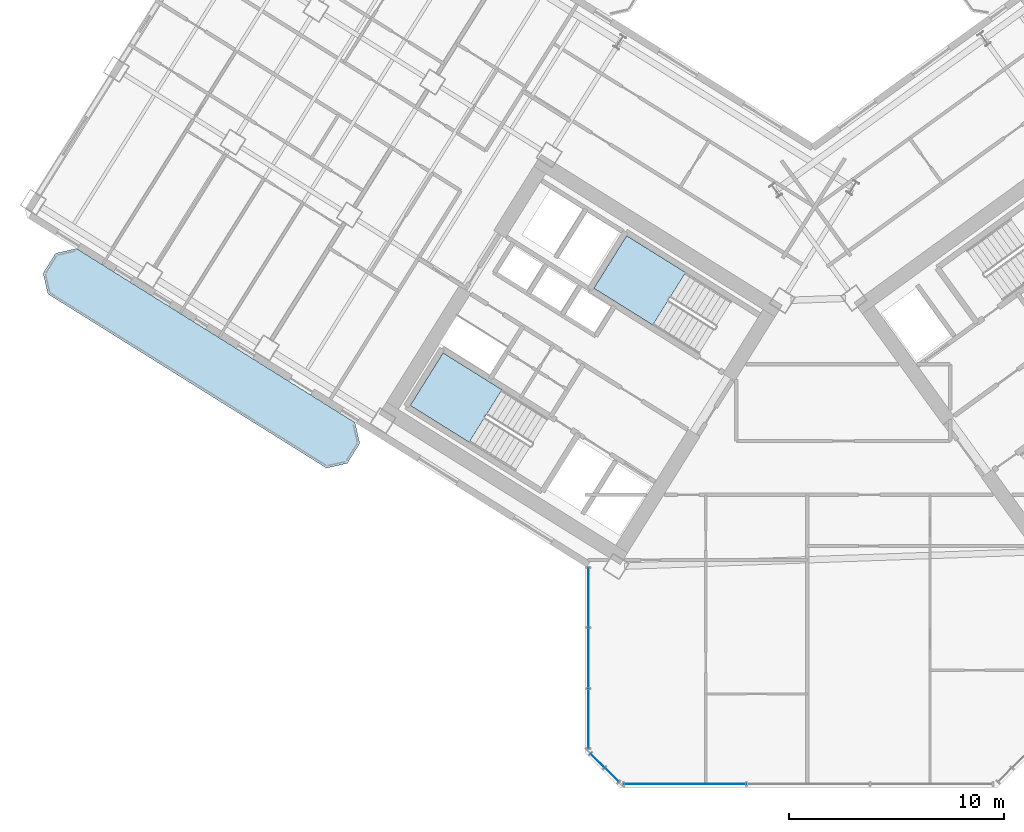
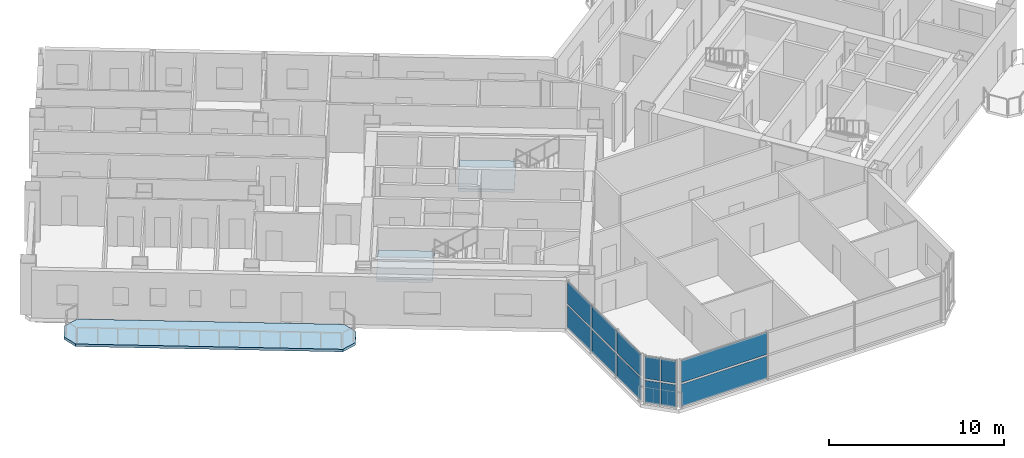
# One storey, part 8 of 21: 12 plates, 3 slabs, 5 elements without a shape of their own.
"""IFC4 building model written with IfcOpenShell, lengths in metres."""

import ifcopenshell
import ifcopenshell.guid

model = None  # the IFC model being written
_history = None  # IfcOwnerHistory: only IFC2X3 demands one
_inside = {}  # id of a spatial element -> (the spatial element, [elements in it])
_under = {}  # id of a project, library or spatial element -> (it, [spatial elements below it])
_declared = {}  # id of a project -> (the project, [libraries it declares])
_typed = {}  # id of a type object -> (the type object, [elements of that type])
_made_of = {}  # id of a material, layer set ... -> (it, [elements and type objects made of it])


def new_model(schema):
    """Start an empty IFC model of exactly this schema.

    Asked for "IFC4X3", IfcOpenShell would pick the latest addendum, in which some entities
    have other attributes; the version numbers below select the first issue.
    IFC2X3 requires an IfcOwnerHistory on every rooted entity: one is made here for all.
    """
    global model, _history
    if schema == "IFC4X3":
        model = ifcopenshell.file(schema_version=(4, 3, 0, 0))
    else:
        model = ifcopenshell.file(schema=schema)
    _inside.clear()
    _under.clear()
    _declared.clear()
    _typed.clear()
    _made_of.clear()
    _history = None
    if model.schema == "IFC2X3":
        org = make("IfcOrganization", Name="unknown")
        user = make(
            "IfcPersonAndOrganization",
            ThePerson=make("IfcPerson", FamilyName="unknown"),
            TheOrganization=org,
        )
        app = make(
            "IfcApplication",
            ApplicationDeveloper=org,
            Version="unknown",
            ApplicationFullName="unknown",
            ApplicationIdentifier="unknown",
        )
        _history = make(
            "IfcOwnerHistory",
            OwningUser=user,
            OwningApplication=app,
            ChangeAction="ADDED",
            CreationDate=0,
        )
    return model


def make(cls, **values):
    """One entity of the class cls with the attributes given. An attribute that is None is left unset."""
    return model.create_entity(
        cls, **{name: value for name, value in values.items() if value is not None}
    )


def rooted(cls, **values):
    """An entity with a GlobalId (a new one), such as an element, a storey or a relation."""
    return make(cls, GlobalId=ifcopenshell.guid.new(), OwnerHistory=_history, **values)


def si_unit(unit_type, name, prefix=None):
    """IfcSIUnit, for example si_unit("LENGTHUNIT", "METRE", prefix="MILLI")."""
    return make("IfcSIUnit", UnitType=unit_type, Prefix=prefix, Name=name)


def assignment(units):
    """IfcUnitAssignment: the units of a project."""
    return None if units is None else make("IfcUnitAssignment", Units=units)


def point(xyz):
    """IfcCartesianPoint."""
    return None if xyz is None else make("IfcCartesianPoint", Coordinates=xyz)


def direction(xyz):
    """IfcDirection."""
    return None if xyz is None else make("IfcDirection", DirectionRatios=xyz)


def frame(location, z_axis=None, x_axis=None):
    """IfcAxis2Placement3D, a coordinate frame: its origin and axes. An axis left out is left unset."""
    return make(
        "IfcAxis2Placement3D",
        Location=point(location),
        Axis=direction(z_axis),
        RefDirection=direction(x_axis),
    )


def frame_2d(location, x_axis=None):
    """IfcAxis2Placement2D, a coordinate frame in the plane: its origin and x axis."""
    return make(
        "IfcAxis2Placement2D", Location=point(location), RefDirection=direction(x_axis)
    )


def origin():
    """The frame at (0, 0, 0) with its axes left unset."""
    return frame((0.0, 0.0, 0.0))


def origin_2d():
    """The frame at (0, 0) in the plane with its x axis left unset."""
    return frame_2d((0.0, 0.0))


def place(relative_to, where):
    """IfcLocalPlacement: puts the frame where relative to a parent placement (None: the world)."""
    return make(
        "IfcLocalPlacement", PlacementRelTo=relative_to, RelativePlacement=where
    )


def context(
    kind, dimensions, precision=None, world=None, true_north=None, identifier=None
):
    """IfcGeometricRepresentationContext, for example the 3D "Model" context."""
    return make(
        "IfcGeometricRepresentationContext",
        ContextIdentifier=identifier,
        ContextType=kind,
        CoordinateSpaceDimension=dimensions,
        Precision=precision,
        WorldCoordinateSystem=world,
        TrueNorth=true_north,
    )


def subcontext(parent, identifier, kind, view, scale=None):
    """IfcGeometricRepresentationSubContext, for example "Body" below "Model"."""
    return make(
        "IfcGeometricRepresentationSubContext",
        ContextIdentifier=identifier,
        ContextType=kind,
        ParentContext=parent,
        TargetScale=scale,
        TargetView=view,
    )


def project(units=None, contexts=None):
    """IfcProject with its units and contexts."""
    return rooted(
        "IfcProject",
        Name="project",
        RepresentationContexts=contexts,
        UnitsInContext=assignment(units),
    )


def spatial(cls, under=None, at=None, **own):
    """A site, building, storey or space (cls), placed at a placement, below another one or the project."""
    s = rooted(cls, ObjectPlacement=at, **own)
    if under is not None:
        _under.setdefault(under.id(), (under, []))[1].append(s)
    return s


def polyline(points):
    """IfcPolyline through the points."""
    return make("IfcPolyline", Points=[point(p) for p in points])


def profile(cls, at=None, kind="AREA", **sizes):
    """A parametric profile (cls). Its sizes go by their IFC names, for example OverallWidth=200.0."""
    return make(cls, ProfileType=kind, Position=at, **sizes)


def rectangle(**sizes):
    """IfcRectangleProfileDef."""
    return profile("IfcRectangleProfileDef", **sizes)


def outline(outer, holes=None, kind="AREA"):
    """IfcArbitraryClosedProfileDef: a profile drawn as a closed curve; with holes, ...WithVoids."""
    if holes is None:
        return make("IfcArbitraryClosedProfileDef", ProfileType=kind, OuterCurve=outer)
    return make(
        "IfcArbitraryProfileDefWithVoids",
        ProfileType=kind,
        OuterCurve=outer,
        InnerCurves=holes,
    )


def extrude(swept, where, along, depth):
    """IfcExtrudedAreaSolid: the profile swept, set in the frame where, extruded along a direction by depth."""
    return make(
        "IfcExtrudedAreaSolid",
        SweptArea=swept,
        Position=where,
        ExtrudedDirection=direction(along),
        Depth=depth,
    )


def shape(context_of_items, identifier, shape_type, items):
    """IfcShapeRepresentation: the items that make up one representation, for example the "Body"."""
    return make(
        "IfcShapeRepresentation",
        ContextOfItems=context_of_items,
        RepresentationIdentifier=identifier,
        RepresentationType=shape_type,
        Items=items,
    )


def source(mapping_origin, context_of_items, identifier, shape_type, items):
    """IfcRepresentationMap: a shape defined once, which mapped items show again and again."""
    return make(
        "IfcRepresentationMap",
        MappingOrigin=mapping_origin,
        MappedRepresentation=shape(context_of_items, identifier, shape_type, items),
    )


def transform(
    local_origin,
    x_axis=None,
    y_axis=None,
    z_axis=None,
    scale=None,
    scale2=None,
    scale3=None,
    uniform=True,
):
    """IfcCartesianTransformationOperator3D, or its non-uniform kind. x_axis, y_axis, z_axis: its Axis1, 2, 3."""
    if uniform:
        return make(
            "IfcCartesianTransformationOperator3D",
            Axis1=direction(x_axis),
            Axis2=direction(y_axis),
            LocalOrigin=point(local_origin),
            Scale=scale,
            Axis3=direction(z_axis),
        )
    return make(
        "IfcCartesianTransformationOperator3DnonUniform",
        Axis1=direction(x_axis),
        Axis2=direction(y_axis),
        LocalOrigin=point(local_origin),
        Scale=scale,
        Axis3=direction(z_axis),
        Scale2=scale2,
        Scale3=scale3,
    )


def mapped(mapping_source, mapping_target):
    """IfcMappedItem: shows the shape of a source again, moved by a transform."""
    return make(
        "IfcMappedItem", MappingSource=mapping_source, MappingTarget=mapping_target
    )


def material(Name=None, Category=None):
    """IfcMaterial."""
    return make("IfcMaterial", Name=Name, Category=Category)


def layer(
    of_material, thickness, ventilated=None, Name=None, Category=None, Priority=None
):
    """IfcMaterialLayer: one layer of a wall or slab, of a material (None: an air gap)."""
    return make(
        "IfcMaterialLayer",
        Material=of_material,
        LayerThickness=thickness,
        IsVentilated=ventilated,
        Name=Name,
        Category=Category,
        Priority=Priority,
    )


def layer_set(layers, Name=None):
    """IfcMaterialLayerSet."""
    return make("IfcMaterialLayerSet", MaterialLayers=layers, LayerSetName=Name)


def made_of(thing, what):
    """Note that an element or type object is made of a material, layer set ...; save() writes the relation."""
    if what is not None:
        _made_of.setdefault(what.id(), (what, []))[1].append(thing)
    return thing


def type_object(cls, material=None, **own):
    """A type object (cls), such as IfcWallType, which elements share."""
    return made_of(rooted(cls, **own), material)


def element(
    cls,
    number,
    at=None,
    inside=None,
    cuts=None,
    type_object=None,
    material=None,
    context=None,
    identifier="Body",
    shape_type=None,
    held_by="IfcProductDefinitionShape",
    body=None,
    shapes=None,
    **own,
):
    """One element of the class cls, such as IfcWall. Its Tag is "e" and its number.

    at: its placement. inside: the storey or other place that contains it. cuts: it is an
    opening in that element (IfcRelVoidsElement). A single representation is given by context,
    identifier, shape_type and body (its items); several are given by shapes. held_by: the class
    of the entity that holds the representations. save() writes the other relations.
    """
    e = rooted(cls, Tag="e%d" % number, ObjectPlacement=at, **own)
    if body is not None:
        shapes = [shape(context, identifier, shape_type, body)]
    if shapes is not None:
        e.Representation = make(held_by, Representations=shapes)
    if inside is not None:
        _inside.setdefault(inside.id(), (inside, []))[1].append(e)
    if cuts is not None:
        rooted(
            "IfcRelVoidsElement", RelatingBuildingElement=cuts, RelatedOpeningElement=e
        )
    if type_object is not None:
        _typed.setdefault(type_object.id(), (type_object, []))[1].append(e)
    return made_of(e, material)


def aggregate(whole, parts):
    """IfcRelAggregates: a whole, such as a stair, and the parts it consists of."""
    return rooted("IfcRelAggregates", RelatingObject=whole, RelatedObjects=parts)


def save(model, path):
    """Write the relations noted so far, then the file.

    IfcRelAggregates (storeys below a building ...), IfcRelContainedInSpatialStructure (elements
    in a storey), IfcRelDefinesByType, IfcRelAssociatesMaterial and IfcRelDeclares: one each for
    every whole, place, type object, material and project.
    """
    for whole, parts in _under.values():
        aggregate(whole, parts)
    for where, things in _inside.values():
        rooted(
            "IfcRelContainedInSpatialStructure",
            RelatedElements=things,
            RelatingStructure=where,
        )
    for kind, things in _typed.values():
        rooted("IfcRelDefinesByType", RelatedObjects=things, RelatingType=kind)
    for what, things in _made_of.values():
        rooted("IfcRelAssociatesMaterial", RelatedObjects=things, RelatingMaterial=what)
    for by, libraries in _declared.values():
        rooted("IfcRelDeclares", RelatingContext=by, RelatedDefinitions=libraries)
    model.write(path)


model = new_model("IFC4")

# Units and contexts
model_context = context("Model", 3, precision=1e-05, world=origin(), true_north=direction((0.0, 1.0)))
body_context = subcontext(model_context, "Body", "Model", "MODEL_VIEW")
ifc_project = project(units=[si_unit("LENGTHUNIT", "METRE"), si_unit("AREAUNIT", "SQUARE_METRE"), si_unit("VOLUMEUNIT", "CUBIC_METRE"), si_unit("PLANEANGLEUNIT", "RADIAN"), si_unit("MASSUNIT", "GRAM", prefix="KILO")], contexts=[model_context])

# Site, building, storey
site_placement = place(None, origin())
site = spatial("IfcSite", under=ifc_project, at=site_placement, CompositionType="ELEMENT")
building_placement = place(site_placement, origin())
building = spatial("IfcBuilding", under=site, at=building_placement, Name="Tlacorven Tower", CompositionType="ELEMENT")
storey_placement = place(building_placement, frame((0.0, 0.0, 93.60009765625)))
storey = spatial("IfcBuildingStorey", under=building, at=storey_placement, Name="L23", CompositionType="ELEMENT", Elevation=93.60009765625)

# Slab
ifc_material_1 = material(Name="Precast concrete C45/55", Category="concrete")
ifc_layer_1 = layer(ifc_material_1, 0.179931640625)
ifc_layer_set_1 = layer_set([ifc_layer_1], Name="Precast concrete C45/55")
slab_type_1 = type_object("IfcSlabType", Name="SL-BAL-180", PredefinedType="USERDEFINED", material=ifc_layer_set_1)
slab_1_placement = place(storey_placement, frame((0.0, 0.0, -0.18017578125)))
element("IfcSlab", 1, at=slab_1_placement, inside=storey, type_object=slab_type_1, Name="L23 West Wing Balcony Ribbon OUT", ObjectType="BALCONY SLAB", PredefinedType="USERDEFINED", context=body_context, shape_type="SweptSolid", body=[
    extrude(outline(polyline([(20.88671875, 18.78271484375), (7.91162109375, 26.890625), (6.947021484375, 26.66796875), (6.366943359375, 25.7392578125), (6.589599609375, 24.774658203125), (19.564697265625, 16.6669921875), (20.529296875, 16.8896484375), (21.109375, 17.818115234375), (20.88671875, 18.78271484375)])), origin(), (0.0, 0.0, 1.0), 0.18017578125),
])

# Stair, slab
ifc_material_2 = material(Name="Concrete C40/50", Category="concrete")
stair_type = type_object("IfcStairType", Name="ST-CORE-DLG", PredefinedType="HALF_TURN_STAIR", material=ifc_material_2)
stair_1_placement = place(storey_placement, origin())
stair_1 = element("IfcStair", 2, at=stair_1_placement, inside=storey, type_object=stair_type, Name="L23 Protected Exit Stair West 1", PredefinedType="HALF_TURN_STAIR")
ifc_layer_2 = layer(ifc_material_2, 0.199951171875)
ifc_layer_set_2 = layer_set([ifc_layer_2], Name="Concrete C40/50")
slab_type_2 = type_object("IfcSlabType", Name="SL-LND-200", PredefinedType="LANDING", material=ifc_layer_set_2)
slab_2_placement = place(storey_placement, frame((0.0, 0.0, 1.599853515625)))
slab_2 = element("IfcSlab", 3, at=slab_2_placement, type_object=slab_type_2, Name="ST-W1 landing 1", PredefinedType="LANDING", context=body_context, shape_type="SweptSolid", body=[
    extrude(outline(polyline([(27.728515625, 20.315185546875), (24.9892578125, 22.02685546875), (23.463134765625, 19.58447265625), (26.2021484375, 17.872802734375), (27.728515625, 20.315185546875)])), origin(), (0.0, 0.0, 1.0), 0.199951171875),
])
aggregate(stair_1, [slab_2])

stair_2_placement = place(storey_placement, origin())
stair_2 = element("IfcStair", 4, at=stair_2_placement, inside=storey, type_object=stair_type, Name="L23 Protected Exit Stair West 2", PredefinedType="HALF_TURN_STAIR")
slab_3_placement = place(storey_placement, frame((0.0, 0.0, 1.599853515625)))
slab_3 = element("IfcSlab", 5, at=slab_3_placement, type_object=slab_type_2, Name="ST-W2 landing 1", PredefinedType="LANDING", context=body_context, shape_type="SweptSolid", body=[
    extrude(outline(polyline([(36.280029296875, 25.772705078125), (33.540771484375, 27.484375), (32.0146484375, 25.0419921875), (34.75390625, 23.33056640625), (36.280029296875, 25.772705078125)])), origin(), (0.0, 0.0, 1.0), 0.199951171875),
])
aggregate(stair_2, [slab_3])

# Curtain wall, plates
ifc_material_3 = material(Name="Dark solar low-E double glazing in aluminium frame", Category="aluminium")
curtain_wall_type = type_object("IfcCurtainWallType", Name="CW-TWR-LOW", PredefinedType="USERDEFINED", material=ifc_material_3)
curtain_wall_1_placement = place(storey_placement, origin())
curtain_wall_1 = element("IfcCurtainWall", 6, at=curtain_wall_1_placement, inside=storey, type_object=curtain_wall_type, Name="L23 CW-TWR-LOW Curtain Wall 121", ObjectType="UNITISED CURTAIN WALL", PredefinedType="USERDEFINED")
ifc_material_4 = material(Name="Dark solar double low-E glazing", Category="glass")
ifc_layer_3 = layer(ifc_material_4, 0.031982421875)
ifc_layer_set_3 = layer_set([ifc_layer_3], Name="Dark solar double low-E glazing")
plate_type = type_object("IfcPlateType", Name="CWP-02", PredefinedType="CURTAIN_PANEL", material=ifc_layer_set_3)
shared_shape_1 = source(origin(), body_context, "Body", "SweptSolid", [
    extrude(rectangle(XDim=0.878173828125, YDim=0.031982421875, at=origin_2d()), origin(), (0.0, 0.0, 1.0), 1.552978515625),
])
plate_1_placement = place(storey_placement, frame((32.842041015625, 2.38427734375, 0.06103515625), z_axis=(0.0, 0.0, 1.0), x_axis=(-0.707106781187, 0.707106781187, 0.0)))
plate_1 = element("IfcPlate", 7, at=plate_1_placement, type_object=plate_type, Name="CW-L23-121 Glazing Panel 1", PredefinedType="CURTAIN_PANEL", context=body_context, shape_type="MappedRepresentation", body=[
    mapped(shared_shape_1, transform((0.0, 0.0, 0.0), scale=1.0)),
])
plate_2_placement = place(storey_placement, frame((32.842041015625, 2.38427734375, 1.73583984375), z_axis=(0.0, 0.0, 1.0), x_axis=(-0.707106781187, 0.707106781187, 0.0)))
plate_2 = element("IfcPlate", 8, at=plate_2_placement, type_object=plate_type, Name="CW-L23-121 Glazing Panel 2", PredefinedType="CURTAIN_PANEL", context=body_context, shape_type="MappedRepresentation", body=[
    mapped(shared_shape_1, transform((0.0, 0.0, 0.0), scale=1.0)),
])
plate_3_placement = place(storey_placement, frame((32.184326171875, 3.0419921875, 0.06103515625), z_axis=(0.0, 0.0, 1.0), x_axis=(-0.707106781187, 0.707106781187, 0.0)))
plate_3 = element("IfcPlate", 9, at=plate_3_placement, type_object=plate_type, Name="CW-L23-121 Glazing Panel 3", PredefinedType="CURTAIN_PANEL", context=body_context, shape_type="MappedRepresentation", body=[
    mapped(shared_shape_1, transform((0.0, 0.0, 0.0), scale=1.0)),
])
plate_4_placement = place(storey_placement, frame((32.184326171875, 3.0419921875, 1.73583984375), z_axis=(0.0, 0.0, 1.0), x_axis=(-0.707106781187, 0.707106781187, 0.0)))
plate_4 = element("IfcPlate", 10, at=plate_4_placement, type_object=plate_type, Name="CW-L23-121 Glazing Panel 4", PredefinedType="CURTAIN_PANEL", context=body_context, shape_type="MappedRepresentation", body=[
    mapped(shared_shape_1, transform((0.0, 0.0, 0.0), scale=1.0)),
])
aggregate(curtain_wall_1, [plate_1, plate_2, plate_3, plate_4])

curtain_wall_2_placement = place(storey_placement, origin())
curtain_wall_2 = element("IfcCurtainWall", 11, at=curtain_wall_2_placement, inside=storey, type_object=curtain_wall_type, Name="L23 CW-TWR-LOW Curtain Wall 120", ObjectType="UNITISED CURTAIN WALL", PredefinedType="USERDEFINED")
shared_shape_2 = source(origin(), body_context, "Body", "SweptSolid", [
    extrude(rectangle(XDim=5.668701171875, YDim=0.031982421875, at=origin_2d()), origin(), (0.0, 0.0, 1.0), 1.552978515625),
])
plate_5_placement = place(storey_placement, frame((36.26171875, 1.9599609375, 0.06103515625), z_axis=(0.0, 0.0, 1.0), x_axis=(-1.0, 0.0, 0.0)))
plate_5 = element("IfcPlate", 12, at=plate_5_placement, type_object=plate_type, Name="CW-L23-120 Glazing Panel 5", PredefinedType="CURTAIN_PANEL", context=body_context, shape_type="MappedRepresentation", body=[
    mapped(shared_shape_2, transform((0.0, 0.0, 0.0), scale=1.0)),
])
plate_6_placement = place(storey_placement, frame((36.26171875, 1.9599609375, 1.73583984375), z_axis=(0.0, 0.0, 1.0), x_axis=(-1.0, 0.0, 0.0)))
plate_6 = element("IfcPlate", 13, at=plate_6_placement, type_object=plate_type, Name="CW-L23-120 Glazing Panel 6", PredefinedType="CURTAIN_PANEL", context=body_context, shape_type="MappedRepresentation", body=[
    mapped(shared_shape_2, transform((0.0, 0.0, 0.0), scale=1.0)),
])
aggregate(curtain_wall_2, [plate_5, plate_6])

curtain_wall_3_placement = place(storey_placement, origin())
curtain_wall_3 = element("IfcCurtainWall", 14, at=curtain_wall_3_placement, inside=storey, type_object=curtain_wall_type, Name="L23 CW-TWR-LOW Curtain Wall 122", ObjectType="UNITISED CURTAIN WALL", PredefinedType="USERDEFINED")
shared_shape_3 = source(origin(), body_context, "Body", "SweptSolid", [
    extrude(rectangle(XDim=2.751953125, YDim=0.031982421875, at=origin_2d()), origin(), (0.0, 0.0, 1.0), 1.552978515625),
])
plate_7_placement = place(storey_placement, frame((31.760009765625, 5.003173828125, 0.06103515625), z_axis=(0.0, 0.0, 1.0), x_axis=(0.0, 1.0, 0.0)))
plate_7 = element("IfcPlate", 15, at=plate_7_placement, type_object=plate_type, Name="CW-L23-122 Glazing Panel 1", PredefinedType="CURTAIN_PANEL", context=body_context, shape_type="MappedRepresentation", body=[
    mapped(shared_shape_3, transform((0.0, 0.0, 0.0), scale=1.0)),
])
plate_8_placement = place(storey_placement, frame((31.760009765625, 5.003173828125, 1.73583984375), z_axis=(0.0, 0.0, 1.0), x_axis=(0.0, 1.0, 0.0)))
plate_8 = element("IfcPlate", 16, at=plate_8_placement, type_object=plate_type, Name="CW-L23-122 Glazing Panel 2", PredefinedType="CURTAIN_PANEL", context=body_context, shape_type="MappedRepresentation", body=[
    mapped(shared_shape_3, transform((0.0, 0.0, 0.0), scale=1.0)),
])
plate_9_placement = place(storey_placement, frame((31.760009765625, 10.64599609375, 0.06103515625), z_axis=(0.0, 0.0, 1.0), x_axis=(0.0, 1.0, 0.0)))
plate_9 = element("IfcPlate", 17, at=plate_9_placement, type_object=plate_type, Name="CW-L23-122 Glazing Panel 5", PredefinedType="CURTAIN_PANEL", context=body_context, shape_type="MappedRepresentation", body=[
    mapped(shared_shape_3, transform((0.0, 0.0, 0.0), scale=1.0)),
])
plate_10_placement = place(storey_placement, frame((31.760009765625, 10.64599609375, 1.73583984375), z_axis=(0.0, 0.0, 1.0), x_axis=(0.0, 1.0, 0.0)))
plate_10 = element("IfcPlate", 18, at=plate_10_placement, type_object=plate_type, Name="CW-L23-122 Glazing Panel 6", PredefinedType="CURTAIN_PANEL", context=body_context, shape_type="MappedRepresentation", body=[
    mapped(shared_shape_3, transform((0.0, 0.0, 0.0), scale=1.0)),
])
shared_shape_4 = source(origin(), body_context, "Body", "SweptSolid", [
    extrude(rectangle(XDim=2.786865234375, YDim=0.031982421875, at=origin_2d()), origin(), (0.0, 0.0, 1.0), 1.552978515625),
])
plate_11_placement = place(storey_placement, frame((31.760009765625, 7.82470703125, 0.06103515625), z_axis=(0.0, 0.0, 1.0), x_axis=(0.0, 1.0, 0.0)))
plate_11 = element("IfcPlate", 19, at=plate_11_placement, type_object=plate_type, Name="CW-L23-122 Glazing Panel 3", PredefinedType="CURTAIN_PANEL", context=body_context, shape_type="MappedRepresentation", body=[
    mapped(shared_shape_4, transform((0.0, 0.0, 0.0), scale=1.0)),
])
plate_12_placement = place(storey_placement, frame((31.760009765625, 7.82470703125, 1.73583984375), z_axis=(0.0, 0.0, 1.0), x_axis=(0.0, 1.0, 0.0)))
plate_12 = element("IfcPlate", 20, at=plate_12_placement, type_object=plate_type, Name="CW-L23-122 Glazing Panel 4", PredefinedType="CURTAIN_PANEL", context=body_context, shape_type="MappedRepresentation", body=[
    mapped(shared_shape_4, transform((0.0, 0.0, 0.0), scale=1.0)),
])
aggregate(curtain_wall_3, [plate_7, plate_8, plate_11, plate_12, plate_9, plate_10])

save(model, "model.ifc")
